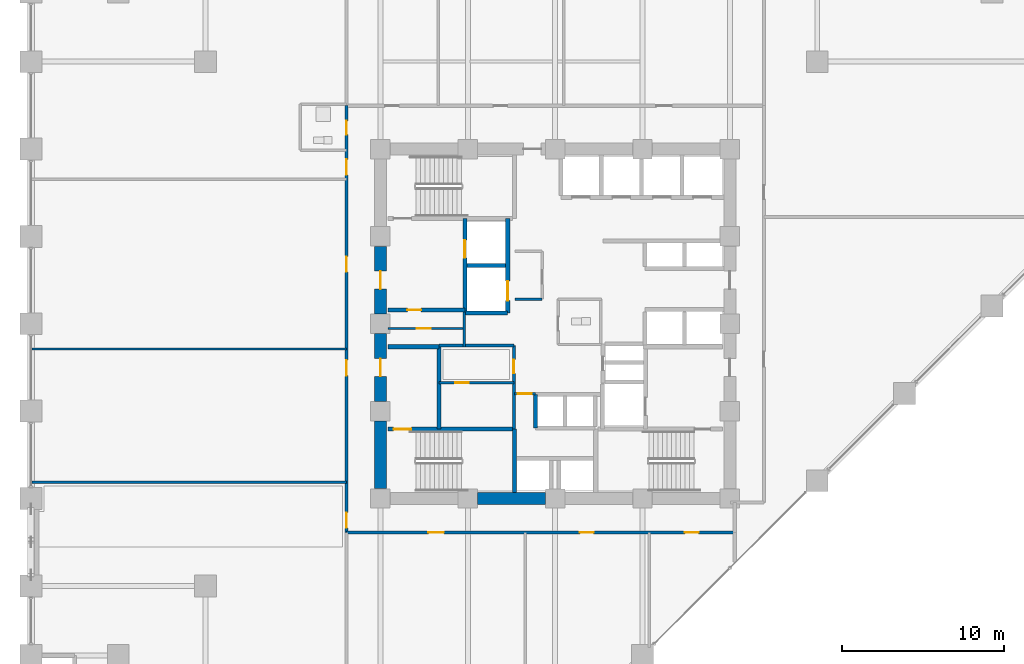
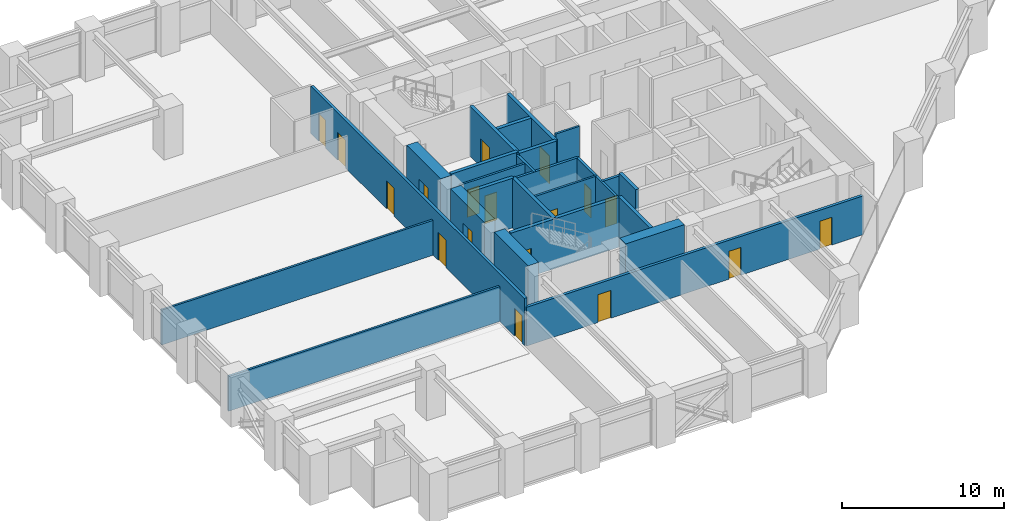
# One storey, part 20 of 25: 25 walls, 18 doors, 18 openings.
"""IFC4 building model written with IfcOpenShell, lengths in metres."""

from ifc_helpers import new_model, si_unit, direction, frame, frame_2d, origin, place, context, subcontext, project, spatial, rectangle, extrude, material, layer, layer_set, type_object, element, fill, save


model = new_model("IFC4")

# Units and contexts
model_context = context("Model", 3, precision=1e-05, world=origin(), true_north=direction((0.0, 1.0)))
body_context = subcontext(model_context, "Body", "Model", "MODEL_VIEW")
ifc_project = project(units=[si_unit("LENGTHUNIT", "METRE"), si_unit("AREAUNIT", "SQUARE_METRE"), si_unit("VOLUMEUNIT", "CUBIC_METRE"), si_unit("PLANEANGLEUNIT", "RADIAN"), si_unit("MASSUNIT", "GRAM", prefix="KILO")], contexts=[model_context])

# Site, building, storey
site_placement = place(None, origin())
site = spatial("IfcSite", under=ifc_project, at=site_placement, CompositionType="ELEMENT")
building_placement = place(site_placement, origin())
building = spatial("IfcBuilding", under=site, at=building_placement, Name="Surkhivell Harbour Commons", CompositionType="ELEMENT")
storey_placement = place(building_placement, frame((0.0, 0.0, 52.5)))
storey = spatial("IfcBuildingStorey", under=building, at=storey_placement, Name="L13", CompositionType="ELEMENT", Elevation=52.5)

# Walls
ifc_material_1 = material(Name="Concrete C60/75", Category="concrete")
ifc_layer_1 = layer(ifc_material_1, 0.75)
ifc_layer_set_1 = layer_set([ifc_layer_1], Name="Concrete C60/75")
wall_type_1 = type_object("IfcWallType", Name="WAL-CORE-750", PredefinedType="SHEAR", material=ifc_layer_set_1)
for number, where, z_axis, x_axis, name in (
    (1, (-10.800048828125, -10.18994140625, 0.0), (0.0, 0.0, 1.0), (0.0, 1.0, 0.0), "L13 Core Shear Wall West 1"),
    (2, (-4.7900390625, -10.800048828125, 0.0), (0.0, 0.0, 1.0), (1.0, 0.0, 0.0), "L13 Core Shear Wall South 2"),
):
    element("IfcWall", number, at=place(storey_placement, frame(where, z_axis=z_axis, x_axis=x_axis)), inside=storey, type_object=wall_type_1, Name=name, PredefinedType="SHEAR", context=body_context, shape_type="SweptSolid", body=[
        extrude(rectangle(XDim=4.179931640625, YDim=0.75, at=frame_2d((2.08984375, 0.0))), origin(), (0.0, 0.0, 1.0), 3.75),
    ])

# Wall, opening, door
wall_1_placement = place(storey_placement, frame((-10.800048828125, -4.7900390625, 0.0), z_axis=(0.0, 0.0, 1.0), x_axis=(0.0, 1.0, 0.0)))
wall_1 = element("IfcWall", 3, at=wall_1_placement, inside=storey, type_object=wall_type_1, Name="L13 Core Shear Wall West 2", PredefinedType="SHEAR", context=body_context, shape_type="SweptSolid", body=[
    extrude(rectangle(XDim=4.179931640625, YDim=0.75, at=frame_2d((2.08984375, 0.0))), origin(), (0.0, 0.0, 1.0), 3.75),
])
opening_1_placement = place(wall_1_placement, frame((1.5400390625, 0.0, 0.0)))
opening_1 = element("IfcOpeningElement", 4, at=opening_1_placement, cuts=wall_1, Name="Opening ID-2", PredefinedType="OPENING", context=body_context, shape_type="SweptSolid", body=[
    extrude(rectangle(XDim=1.10009765625, YDim=2.10009765625, at=frame_2d((0.550048828125, 1.050048828125))), frame((0.0, 0.385009765625, 0.0), z_axis=(0.0, -1.0, 0.0), x_axis=(1.0, 0.0, 0.0)), (0.0, 0.0, 1.0), 0.77001953125),
])
ifc_material_2 = material(Name="Hardwood-veneered fire-rated door leaf", Category="wood")
door_type_1 = type_object("IfcDoorType", Name="DOR-FD60-1100", OperationType="NOTDEFINED", PredefinedType="DOOR", material=ifc_material_2)
door_1_placement = place(opening_1_placement, origin())
door_1 = element("IfcDoor", 5, at=door_1_placement, inside=storey, type_object=door_type_1, Name="L13 Stair 3 Lobby Corridor Door", OperationType="SINGLE_SWING_LEFT", OverallHeight=2.10009765625, OverallWidth=1.10009765625, PredefinedType="DOOR", context=body_context, shape_type="SweptSolid", body=[
    extrude(rectangle(XDim=1.10009765625, YDim=2.10009765625, at=frame_2d((0.550048828125, 1.050048828125))), frame((0.0, 0.02490234375, 0.0), z_axis=(0.0, -1.0, 0.0), x_axis=(1.0, 0.0, 0.0)), (0.0, 0.0, 1.0), 0.050048828125),
])
fill(opening_1, door_1)

wall_2_placement = place(storey_placement, frame((-10.800048828125, 0.610107421875, 0.0), z_axis=(0.0, 0.0, 1.0), x_axis=(0.0, 1.0, 0.0)))
wall_2 = element("IfcWall", 6, at=wall_2_placement, inside=storey, type_object=wall_type_1, Name="L13 Core Shear Wall West 3", PredefinedType="SHEAR", context=body_context, shape_type="SweptSolid", body=[
    extrude(rectangle(XDim=4.179931640625, YDim=0.75, at=frame_2d((2.08984375, 0.0))), origin(), (0.0, 0.0, 1.0), 3.75),
])
opening_2_placement = place(wall_2_placement, frame((1.5400390625, 0.0, 0.0)))
opening_2 = element("IfcOpeningElement", 7, at=opening_2_placement, cuts=wall_2, Name="Opening ID-1", PredefinedType="OPENING", context=body_context, shape_type="SweptSolid", body=[
    extrude(rectangle(XDim=1.10009765625, YDim=2.10009765625, at=frame_2d((0.550048828125, 1.050048828125))), frame((0.0, 0.385009765625, 0.0), z_axis=(0.0, -1.0, 0.0), x_axis=(1.0, 0.0, 0.0)), (0.0, 0.0, 1.0), 0.77001953125),
])
door_type_2 = type_object("IfcDoorType", Name="DOR-FD120-1100", OperationType="NOTDEFINED", PredefinedType="DOOR", material=ifc_material_2)
door_2_placement = place(opening_2_placement, origin())
door_2 = element("IfcDoor", 8, at=door_2_placement, inside=storey, type_object=door_type_2, Name="L13 Firefighting Lobby 1 Corridor Door", OperationType="SINGLE_SWING_LEFT", OverallHeight=2.10009765625, OverallWidth=1.10009765625, PredefinedType="DOOR", context=body_context, shape_type="SweptSolid", body=[
    extrude(rectangle(XDim=1.10009765625, YDim=2.10009765625, at=frame_2d((0.550048828125, 1.050048828125))), frame((0.0, 0.02490234375, 0.0), z_axis=(0.0, -1.0, 0.0), x_axis=(1.0, 0.0, 0.0)), (0.0, 0.0, 1.0), 0.050048828125),
])
fill(opening_2, door_2)

ifc_material_3 = material(Name="Twin-stud acoustic fireboard partition", Category="other")
ifc_layer_2 = layer(ifc_material_3, 0.14990234375)
ifc_layer_set_2 = layer_set([ifc_layer_2], Name="Twin-stud acoustic fireboard partition")
wall_type_2 = type_object("IfcWallType", Name="WAL-INT-150", PredefinedType="PARTITIONING", material=ifc_layer_set_2)
wall_3_placement = place(storey_placement, frame((-7.179931640625, -3.64990234375, 0.0), z_axis=(0.0, 0.0, 1.0), x_axis=(1.0, 0.0, 0.0)))
wall_3 = element("IfcWall", 9, at=wall_3_placement, inside=storey, type_object=wall_type_2, Name="L13 Core Cut C1 Partition", PredefinedType="PARTITIONING", context=body_context, shape_type="SweptSolid", body=[
    extrude(rectangle(XDim=4.6298828125, YDim=0.14990234375, at=frame_2d((2.31494140625, 0.0))), origin(), (0.0, 0.0, 1.0), 3.570068359375),
])
opening_3_placement = place(wall_3_placement, frame((1.0, 0.0, 0.0)))
opening_3 = element("IfcOpeningElement", 10, at=opening_3_placement, cuts=wall_3, Name="Opening ID-6", PredefinedType="OPENING", context=body_context, shape_type="SweptSolid", body=[
    extrude(rectangle(XDim=0.85009765625, YDim=2.10009765625, at=frame_2d((0.425048828125, 1.050048828125))), frame((0.0, 0.0849609375, 0.0), z_axis=(0.0, -1.0, 0.0), x_axis=(1.0, 0.0, 0.0)), (0.0, 0.0, 1.0), 0.169921875),
])
door_type_3 = type_object("IfcDoorType", Name="DOR-FD30-850", OperationType="NOTDEFINED", PredefinedType="DOOR", material=ifc_material_2)
door_3_placement = place(opening_3_placement, origin())
door_3 = element("IfcDoor", 11, at=door_3_placement, inside=storey, type_object=door_type_3, Name="L13 Cleaner Room Door", OperationType="SINGLE_SWING_LEFT", OverallHeight=2.10009765625, OverallWidth=0.85009765625, PredefinedType="DOOR", context=body_context, shape_type="SweptSolid", body=[
    extrude(rectangle(XDim=0.85009765625, YDim=2.10009765625, at=frame_2d((0.425048828125, 1.050048828125))), frame((0.0, 0.02490234375, 0.0), z_axis=(0.0, -1.0, 0.0), x_axis=(1.0, 0.0, 0.0)), (0.0, 0.0, 1.0), 0.050048828125),
])
fill(opening_3, door_3)

wall_4_placement = place(storey_placement, frame((-10.340087890625, -0.2900390625, 0.0), z_axis=(0.0, 0.0, 1.0), x_axis=(1.0, 0.0, 0.0)))
wall_4 = element("IfcWall", 12, at=wall_4_placement, inside=storey, type_object=wall_type_2, Name="L13 West Core Horizontal Cut", PredefinedType="PARTITIONING", context=body_context, shape_type="SweptSolid", body=[
    extrude(rectangle(XDim=4.719970703125, YDim=0.14990234375, at=frame_2d((2.35986328125, 0.0))), origin(), (0.0, 0.0, 1.0), 3.570068359375),
])
opening_4_placement = place(wall_4_placement, frame((1.800048828125, 0.0, 0.0)))
opening_4 = element("IfcOpeningElement", 13, at=opening_4_placement, cuts=wall_4, Name="Opening ID-6", PredefinedType="OPENING", context=body_context, shape_type="SweptSolid", body=[
    extrude(rectangle(XDim=0.85009765625, YDim=2.10009765625, at=frame_2d((0.425048828125, 1.050048828125))), frame((0.0, 0.0849609375, 0.0), z_axis=(0.0, -1.0, 0.0), x_axis=(1.0, 0.0, 0.0)), (0.0, 0.0, 1.0), 0.169921875),
])
door_4_placement = place(opening_4_placement, origin())
door_4 = element("IfcDoor", 14, at=door_4_placement, inside=storey, type_object=door_type_3, Name="L13 West Music Pod Door", OperationType="SINGLE_SWING_RIGHT", OverallHeight=2.10009765625, OverallWidth=0.85009765625, PredefinedType="DOOR", context=body_context, shape_type="SweptSolid", body=[
    extrude(rectangle(XDim=0.85009765625, YDim=2.10009765625, at=frame_2d((0.425048828125, 1.050048828125))), frame((0.0, 0.02490234375, 0.0), z_axis=(0.0, -1.0, 0.0), x_axis=(1.0, 0.0, 0.0)), (0.0, 0.0, 1.0), 0.050048828125),
])
fill(opening_4, door_4)

# Walls
wall_5_placement = place(storey_placement, frame((-2.47998046875, 1.52001953125, 0.0), z_axis=(0.0, 0.0, 1.0), x_axis=(1.0, 0.0, 0.0)))
element("IfcWall", 15, at=wall_5_placement, inside=storey, type_object=wall_type_2, Name="L13 Core Seminar South Wall", PredefinedType="PARTITIONING", context=body_context, shape_type="SweptSolid", body=[
    extrude(rectangle(XDim=1.679931640625, YDim=0.14990234375, at=frame_2d((0.83984375, 0.0))), origin(), (0.0, 0.0, 1.0), 3.570068359375),
])
for number, where, z_axis, x_axis, name in (
    (16, (-32.340087890625, -1.56005859375, 0.0), (0.0, 0.0, 1.0), (1.0, 0.0, 0.0), "L13 West Partition BDP1"),
    (17, (-32.340087890625, -9.800048828125, 0.0), (0.0, 0.0, 1.0), (1.0, 0.0, 0.0), "L13 West Partition PBOT"),
):
    element("IfcWall", number, at=place(storey_placement, frame(where, z_axis=z_axis, x_axis=x_axis)), inside=storey, type_object=wall_type_2, Name=name, PredefinedType="PARTITIONING", context=body_context, shape_type="SweptSolid", body=[
        extrude(rectangle(XDim=19.440185546875, YDim=0.14990234375, at=frame_2d((9.72021484375, 0.0))), origin(), (0.0, 0.0, 1.0), 2.62890625),
    ])

# Wall, opening, door
ifc_material_4 = material(Name="High-density acoustic blockwork fire partition", Category="masonry")
ifc_layer_3 = layer(ifc_material_4, 0.175048828125)
ifc_layer_set_3 = layer_set([ifc_layer_3], Name="High-density acoustic blockwork fire partition")
wall_type_3 = type_object("IfcWallType", Name="WAL-INT-175", PredefinedType="PARTITIONING", material=ifc_layer_set_3)
wall_6_placement = place(storey_placement, frame((-2.550048828125, -6.510009765625, 0.0), z_axis=(0.0, 0.0, 1.0), x_axis=(0.0, 1.0, 0.0)))
wall_6 = element("IfcWall", 18, at=wall_6_placement, inside=storey, type_object=wall_type_3, Name="L13 Core Service Bay East Wall", PredefinedType="PARTITIONING", context=body_context, shape_type="SweptSolid", body=[
    extrude(rectangle(XDim=5.159912109375, YDim=0.175048828125, at=frame_2d((2.580078125, 0.0))), origin(), (0.0, 0.0, 1.0), 3.570068359375),
])
opening_5_placement = place(wall_6_placement, frame((3.449951171875, 0.0, 0.0)))
opening_5 = element("IfcOpeningElement", 19, at=opening_5_placement, cuts=wall_6, Name="Opening ID-6", PredefinedType="OPENING", context=body_context, shape_type="SweptSolid", body=[
    extrude(rectangle(XDim=0.85009765625, YDim=2.10009765625, at=frame_2d((0.425048828125, 1.050048828125))), frame((0.0, 0.097412109375, 0.0), z_axis=(0.0, -1.0, 0.0), x_axis=(1.0, 0.0, 0.0)), (0.0, 0.0, 1.0), 0.195068359375),
])
door_5_placement = place(opening_5_placement, origin())
door_5 = element("IfcDoor", 20, at=door_5_placement, inside=storey, type_object=door_type_3, Name="L13 Core Seminar Door", OperationType="SINGLE_SWING_LEFT", OverallHeight=2.10009765625, OverallWidth=0.85009765625, PredefinedType="DOOR", context=body_context, shape_type="SweptSolid", body=[
    extrude(rectangle(XDim=0.85009765625, YDim=2.10009765625, at=frame_2d((0.425048828125, 1.050048828125))), frame((0.0, 0.02490234375, 0.0), z_axis=(0.0, -1.0, 0.0), x_axis=(1.0, 0.0, 0.0)), (0.0, 0.0, 1.0), 0.050048828125),
])
fill(opening_5, door_5)

# Walls
wall_7_placement = place(storey_placement, frame((-7.179931640625, -1.35009765625, 0.0), z_axis=(0.0, 0.0, 1.0), x_axis=(1.0, 0.0, 0.0)))
element("IfcWall", 21, at=wall_7_placement, inside=storey, type_object=wall_type_3, Name="L13 Core Service Bay North Wall", PredefinedType="PARTITIONING", context=body_context, shape_type="SweptSolid", body=[
    extrude(rectangle(XDim=4.6298828125, YDim=0.175048828125, at=frame_2d((2.31494140625, 0.0))), origin(), (0.0, 0.0, 1.0), 3.570068359375),
])
wall_8_placement = place(storey_placement, frame((-5.6201171875, -1.419921875, 0.0), z_axis=(0.0, 0.0, 1.0), x_axis=(0.0, 1.0, 0.0)))
element("IfcWall", 22, at=wall_8_placement, inside=storey, type_object=wall_type_3, Name="L13 West Core Bay East Wall", PredefinedType="PARTITIONING", context=body_context, shape_type="SweptSolid", body=[
    extrude(rectangle(XDim=2.139892578125, YDim=0.175048828125, at=frame_2d((1.06982421875, 0.0))), origin(), (0.0, 0.0, 1.0), 3.570068359375),
])

# Wall, opening, door
wall_9_placement = place(storey_placement, frame((-2.52001953125, -4.320068359375, 0.0), z_axis=(0.0, 0.0, 1.0), x_axis=(1.0, 0.0, 0.0)))
wall_9 = element("IfcWall", 23, at=wall_9_placement, inside=storey, type_object=wall_type_3, Name="L13 High-Rise Lobby North Portal Wall", PredefinedType="PARTITIONING", context=body_context, shape_type="SweptSolid", body=[
    extrude(rectangle(XDim=1.300048828125, YDim=0.175048828125, at=frame_2d((0.64990234375, 0.0))), origin(), (0.0, 0.0, 1.0), 3.570068359375),
])
opening_6_placement = place(wall_9_placement, frame((0.219970703125, 0.0, 0.0)))
opening_6 = element("IfcOpeningElement", 24, at=opening_6_placement, cuts=wall_9, Name="Opening ID-6", PredefinedType="OPENING", context=body_context, shape_type="SweptSolid", body=[
    extrude(rectangle(XDim=0.85009765625, YDim=2.10009765625, at=frame_2d((0.425048828125, 1.050048828125))), frame((0.0, 0.097412109375, 0.0), z_axis=(0.0, -1.0, 0.0), x_axis=(1.0, 0.0, 0.0)), (0.0, 0.0, 1.0), 0.195068359375),
])
door_6_placement = place(opening_6_placement, origin())
door_6 = element("IfcDoor", 25, at=door_6_placement, inside=storey, type_object=door_type_3, Name="L13 High-Rise Lift Lobby North Door", OperationType="SINGLE_SWING_LEFT", OverallHeight=2.10009765625, OverallWidth=0.85009765625, PredefinedType="DOOR", context=body_context, shape_type="SweptSolid", body=[
    extrude(rectangle(XDim=0.85009765625, YDim=2.10009765625, at=frame_2d((0.425048828125, 1.050048828125))), frame((0.0, 0.02490234375, 0.0), z_axis=(0.0, -1.0, 0.0), x_axis=(1.0, 0.0, 0.0)), (0.0, 0.0, 1.0), 0.050048828125),
])
fill(opening_6, door_6)

# Wall, openings, doors
ifc_material_5 = material(Name="Autoclaved aerated concrete blockwork and fire plaster", Category="masonry")
ifc_layer_4 = layer(ifc_material_5, 0.199951171875)
ifc_layer_set_4 = layer_set([ifc_layer_4], Name="Autoclaved aerated concrete blockwork and fire plaster")
wall_type_4 = type_object("IfcWallType", Name="WAL-INT-200", PredefinedType="PARTITIONING", material=ifc_layer_set_4)
wall_10_placement = place(storey_placement, frame((-12.89990234375, -12.89990234375, 0.0), z_axis=(0.0, 0.0, 1.0), x_axis=(1.0, 0.0, 0.0)))
wall_10 = element("IfcWall", 26, at=wall_10_placement, inside=storey, type_object=wall_type_4, Name="L13 Corridor South Wall", PredefinedType="PARTITIONING", context=body_context, shape_type="SweptSolid", body=[
    extrude(rectangle(XDim=24.0, YDim=0.199951171875, at=frame_2d((12.0, 0.0))), origin(), (0.0, 0.0, 1.0), 2.929931640625),
])
opening_7_placement = place(wall_10_placement, frame((5.070068359375, 0.0, 0.0)))
opening_7 = element("IfcOpeningElement", 27, at=opening_7_placement, cuts=wall_10, Name="Opening ID-4", PredefinedType="OPENING", context=body_context, shape_type="SweptSolid", body=[
    extrude(rectangle(XDim=0.949951171875, YDim=2.10009765625, at=frame_2d((0.47509765625, 1.050048828125))), frame((0.0, 0.10986328125, 0.0), z_axis=(0.0, -1.0, 0.0), x_axis=(1.0, 0.0, 0.0)), (0.0, 0.0, 1.0), 0.219970703125),
])
opening_8_placement = place(wall_10_placement, frame((14.429931640625, 0.0, 0.0)))
opening_8 = element("IfcOpeningElement", 28, at=opening_8_placement, cuts=wall_10, Name="Opening ID-6", PredefinedType="OPENING", context=body_context, shape_type="SweptSolid", body=[
    extrude(rectangle(XDim=0.85009765625, YDim=2.10009765625, at=frame_2d((0.425048828125, 1.050048828125))), frame((0.0, 0.10986328125, 0.0), z_axis=(0.0, -1.0, 0.0), x_axis=(1.0, 0.0, 0.0)), (0.0, 0.0, 1.0), 0.219970703125),
])
opening_9_placement = place(wall_10_placement, frame((20.909912109375, 0.0, 0.0)))
opening_9 = element("IfcOpeningElement", 29, at=opening_9_placement, cuts=wall_10, Name="Opening ID-6", PredefinedType="OPENING", context=body_context, shape_type="SweptSolid", body=[
    extrude(rectangle(XDim=0.85009765625, YDim=2.10009765625, at=frame_2d((0.425048828125, 1.050048828125))), frame((0.0, 0.10986328125, 0.0), z_axis=(0.0, -1.0, 0.0), x_axis=(1.0, 0.0, 0.0)), (0.0, 0.0, 1.0), 0.219970703125),
])
door_7_placement = place(opening_8_placement, origin())
door_7 = element("IfcDoor", 30, at=door_7_placement, inside=storey, type_object=door_type_3, Name="L13 Resident Social Lounge 2 South Door", OperationType="SINGLE_SWING_LEFT", OverallHeight=2.10009765625, OverallWidth=0.85009765625, PredefinedType="DOOR", context=body_context, shape_type="SweptSolid", body=[
    extrude(rectangle(XDim=0.85009765625, YDim=2.10009765625, at=frame_2d((0.425048828125, 1.050048828125))), frame((0.0, 0.02490234375, 0.0), z_axis=(0.0, -1.0, 0.0), x_axis=(1.0, 0.0, 0.0)), (0.0, 0.0, 1.0), 0.050048828125),
])
fill(opening_8, door_7)
door_8_placement = place(opening_9_placement, origin())
door_8 = element("IfcDoor", 31, at=door_8_placement, inside=storey, type_object=door_type_3, Name="L13 Resident Social Lounge 3 South Door", OperationType="SINGLE_SWING_RIGHT", OverallHeight=2.10009765625, OverallWidth=0.85009765625, PredefinedType="DOOR", context=body_context, shape_type="SweptSolid", body=[
    extrude(rectangle(XDim=0.85009765625, YDim=2.10009765625, at=frame_2d((0.425048828125, 1.050048828125))), frame((0.0, 0.02490234375, 0.0), z_axis=(0.0, -1.0, 0.0), x_axis=(1.0, 0.0, 0.0)), (0.0, 0.0, 1.0), 0.050048828125),
])
fill(opening_9, door_8)
door_type_4 = type_object("IfcDoorType", Name="DOR-FD60-950", OperationType="NOTDEFINED", PredefinedType="DOOR", material=ifc_material_2)
door_9_placement = place(opening_7_placement, origin())
door_9 = element("IfcDoor", 32, at=door_9_placement, inside=storey, type_object=door_type_4, Name="L13 Harbour Social Lounge South Door", OperationType="SINGLE_SWING_RIGHT", OverallHeight=2.10009765625, OverallWidth=0.949951171875, PredefinedType="DOOR", context=body_context, shape_type="SweptSolid", body=[
    extrude(rectangle(XDim=0.949951171875, YDim=2.10009765625, at=frame_2d((0.47509765625, 1.050048828125))), frame((0.0, 0.02490234375, 0.0), z_axis=(0.0, -1.0, 0.0), x_axis=(1.0, 0.0, 0.0)), (0.0, 0.0, 1.0), 0.050048828125),
])
fill(opening_7, door_9)

wall_11_placement = place(storey_placement, frame((-12.89990234375, -12.89990234375, 0.0), z_axis=(0.0, 0.0, 1.0), x_axis=(0.0, 1.0, 0.0)))
wall_11 = element("IfcWall", 33, at=wall_11_placement, inside=storey, type_object=wall_type_4, Name="L13 Corridor West Wall", PredefinedType="PARTITIONING", context=body_context, shape_type="SweptSolid", body=[
    extrude(rectangle(XDim=26.3798828125, YDim=0.199951171875, at=frame_2d((13.18994140625, 0.0))), origin(), (0.0, 0.0, 1.0), 3.570068359375),
])
opening_10_placement = place(wall_11_placement, frame((0.280029296875, 0.0, 0.0)))
opening_10 = element("IfcOpeningElement", 34, at=opening_10_placement, cuts=wall_11, Name="Opening ID-4", PredefinedType="OPENING", context=body_context, shape_type="SweptSolid", body=[
    extrude(rectangle(XDim=0.949951171875, YDim=2.10009765625, at=frame_2d((0.47509765625, 1.050048828125))), frame((0.0, 0.10986328125, 0.0), z_axis=(0.0, -1.0, 0.0), x_axis=(1.0, 0.0, 0.0)), (0.0, 0.0, 1.0), 0.219970703125),
])
opening_11_placement = place(wall_11_placement, frame((24.5849609375, 0.0, 0.0)))
opening_11 = element("IfcOpeningElement", 35, at=opening_11_placement, cuts=wall_11, Name="Opening ID-6", PredefinedType="OPENING", context=body_context, shape_type="SweptSolid", body=[
    extrude(rectangle(XDim=0.85009765625, YDim=2.10009765625, at=frame_2d((0.425048828125, 1.050048828125))), frame((0.0, 0.10986328125, 0.0), z_axis=(0.0, -1.0, 0.0), x_axis=(1.0, 0.0, 0.0)), (0.0, 0.0, 1.0), 0.219970703125),
])
opening_12_placement = place(wall_11_placement, frame((22.110107421875, 0.0, 0.0)))
opening_12 = element("IfcOpeningElement", 36, at=opening_12_placement, cuts=wall_11, Name="Opening ID-4", PredefinedType="OPENING", context=body_context, shape_type="SweptSolid", body=[
    extrude(rectangle(XDim=0.949951171875, YDim=2.10009765625, at=frame_2d((0.47509765625, 1.050048828125))), frame((0.0, 0.10986328125, 0.0), z_axis=(0.0, -1.0, 0.0), x_axis=(1.0, 0.0, 0.0)), (0.0, 0.0, 1.0), 0.219970703125),
])
opening_13_placement = place(wall_11_placement, frame((9.7021484375, 0.0, 0.0)))
opening_13 = element("IfcOpeningElement", 37, at=opening_13_placement, cuts=wall_11, Name="Opening ID-4", PredefinedType="OPENING", context=body_context, shape_type="SweptSolid", body=[
    extrude(rectangle(XDim=0.949951171875, YDim=2.10009765625, at=frame_2d((0.47509765625, 1.050048828125))), frame((0.0, 0.10986328125, 0.0), z_axis=(0.0, -1.0, 0.0), x_axis=(1.0, 0.0, 0.0)), (0.0, 0.0, 1.0), 0.219970703125),
])
opening_14_placement = place(wall_11_placement, frame((16.10498046875, 0.0, 0.0)))
opening_14 = element("IfcOpeningElement", 38, at=opening_14_placement, cuts=wall_11, Name="Opening ID-4", PredefinedType="OPENING", context=body_context, shape_type="SweptSolid", body=[
    extrude(rectangle(XDim=0.949951171875, YDim=2.10009765625, at=frame_2d((0.47509765625, 1.050048828125))), frame((0.0, 0.10986328125, 0.0), z_axis=(0.0, -1.0, 0.0), x_axis=(1.0, 0.0, 0.0)), (0.0, 0.0, 1.0), 0.219970703125),
])
door_10_placement = place(opening_11_placement, origin())
door_10 = element("IfcDoor", 39, at=door_10_placement, inside=storey, type_object=door_type_3, Name="L13 Communal Shower Bathroom West Door", OperationType="SINGLE_SWING_LEFT", OverallHeight=2.10009765625, OverallWidth=0.85009765625, PredefinedType="DOOR", context=body_context, shape_type="SweptSolid", body=[
    extrude(rectangle(XDim=0.85009765625, YDim=2.10009765625, at=frame_2d((0.425048828125, 1.050048828125))), frame((0.0, 0.02490234375, 0.0), z_axis=(0.0, -1.0, 0.0), x_axis=(1.0, 0.0, 0.0)), (0.0, 0.0, 1.0), 0.050048828125),
])
fill(opening_11, door_10)
door_11_placement = place(opening_10_placement, origin())
door_11 = element("IfcDoor", 40, at=door_11_placement, inside=storey, type_object=door_type_4, Name="L13 Shared Communal Kitchen West Door", OperationType="SINGLE_SWING_RIGHT", OverallHeight=2.10009765625, OverallWidth=0.949951171875, PredefinedType="DOOR", context=body_context, shape_type="SweptSolid", body=[
    extrude(rectangle(XDim=0.949951171875, YDim=2.10009765625, at=frame_2d((0.47509765625, 1.050048828125))), frame((0.0, 0.02490234375, 0.0), z_axis=(0.0, -1.0, 0.0), x_axis=(1.0, 0.0, 0.0)), (0.0, 0.0, 1.0), 0.050048828125),
])
fill(opening_10, door_11)
door_12_placement = place(opening_12_placement, origin())
door_12 = element("IfcDoor", 41, at=door_12_placement, inside=storey, type_object=door_type_4, Name="L13 Academic Reading Commons West Door", OperationType="SINGLE_SWING_RIGHT", OverallHeight=2.10009765625, OverallWidth=0.949951171875, PredefinedType="DOOR", context=body_context, shape_type="SweptSolid", body=[
    extrude(rectangle(XDim=0.949951171875, YDim=2.10009765625, at=frame_2d((0.47509765625, 1.050048828125))), frame((0.0, 0.02490234375, 0.0), z_axis=(0.0, -1.0, 0.0), x_axis=(1.0, 0.0, 0.0)), (0.0, 0.0, 1.0), 0.050048828125),
])
fill(opening_12, door_12)
door_13_placement = place(opening_13_placement, origin())
door_13 = element("IfcDoor", 42, at=door_13_placement, inside=storey, type_object=door_type_4, Name="L13 Hostel Cluster Bedroom 1 West Door", OperationType="SINGLE_SWING_LEFT", OverallHeight=2.10009765625, OverallWidth=0.949951171875, PredefinedType="DOOR", context=body_context, shape_type="SweptSolid", body=[
    extrude(rectangle(XDim=0.949951171875, YDim=2.10009765625, at=frame_2d((0.47509765625, 1.050048828125))), frame((0.0, 0.02490234375, 0.0), z_axis=(0.0, -1.0, 0.0), x_axis=(1.0, 0.0, 0.0)), (0.0, 0.0, 1.0), 0.050048828125),
])
fill(opening_13, door_13)
door_14_placement = place(opening_14_placement, origin())
door_14 = element("IfcDoor", 43, at=door_14_placement, inside=storey, type_object=door_type_4, Name="L13 Co-Living Dormitory Bedroom 2 West Door", OperationType="SINGLE_SWING_RIGHT", OverallHeight=2.10009765625, OverallWidth=0.949951171875, PredefinedType="DOOR", context=body_context, shape_type="SweptSolid", body=[
    extrude(rectangle(XDim=0.949951171875, YDim=2.10009765625, at=frame_2d((0.47509765625, 1.050048828125))), frame((0.0, 0.02490234375, 0.0), z_axis=(0.0, -1.0, 0.0), x_axis=(1.0, 0.0, 0.0)), (0.0, 0.0, 1.0), 0.050048828125),
])
fill(opening_14, door_14)

# Wall, opening, door
ifc_material_6 = material(Name="Concrete C50/60", Category="concrete")
ifc_layer_5 = layer(ifc_material_6, 0.25)
ifc_layer_set_5 = layer_set([ifc_layer_5], Name="Concrete C50/60")
wall_type_5 = type_object("IfcWallType", Name="WAL-SHAFT-250", PredefinedType="SHEAR", material=ifc_layer_set_5)
wall_12_placement = place(storey_placement, frame((-5.580078125, 0.719970703125, 0.0), z_axis=(0.0, 0.0, 1.0), x_axis=(0.0, 1.0, 0.0)))
wall_12 = element("IfcWall", 44, at=wall_12_placement, inside=storey, type_object=wall_type_5, Name="L13 Firefighting Lobby 1 East Shaft Wall", PredefinedType="SHEAR", context=body_context, shape_type="SweptSolid", body=[
    extrude(rectangle(XDim=5.7900390625, YDim=0.25, at=frame_2d((2.89501953125, 0.0))), origin(), (0.0, 0.0, 1.0), 3.75),
])
opening_15_placement = place(wall_12_placement, frame((3.35009765625, 0.0, 0.0)))
opening_15 = element("IfcOpeningElement", 45, at=opening_15_placement, cuts=wall_12, Name="Opening LD-1", PredefinedType="OPENING", context=body_context, shape_type="SweptSolid", body=[
    extrude(rectangle(XDim=1.10009765625, YDim=2.10009765625, at=frame_2d((0.550048828125, 1.050048828125))), frame((0.0, 0.135009765625, 0.0), z_axis=(0.0, -1.0, 0.0), x_axis=(1.0, 0.0, 0.0)), (0.0, 0.0, 1.0), 0.27001953125),
])
ifc_material_7 = material(Name="Brushed stainless steel S355", Category="steel")
door_type_5 = type_object("IfcDoorType", Name="DOR-LD-1100", OperationType="SLIDING_TO_LEFT", PredefinedType="DOOR", material=ifc_material_7)
door_15_placement = place(opening_15_placement, origin())
door_15 = element("IfcDoor", 46, at=door_15_placement, inside=storey, type_object=door_type_5, Name="L13 Lift Landing Door LD-FFL1", OperationType="SLIDING_TO_LEFT", OverallHeight=2.10009765625, OverallWidth=1.10009765625, PredefinedType="DOOR", context=body_context, shape_type="SweptSolid", body=[
    extrude(rectangle(XDim=1.10009765625, YDim=2.10009765625, at=frame_2d((0.550048828125, 1.050048828125))), frame((0.0, 0.02490234375, 0.0), z_axis=(0.0, -1.0, 0.0), x_axis=(1.0, 0.0, 0.0)), (0.0, 0.0, 1.0), 0.050048828125),
])
fill(opening_15, door_15)

wall_13_placement = place(storey_placement, frame((-10.340087890625, 0.85009765625, 0.0), z_axis=(0.0, 0.0, 1.0), x_axis=(1.0, 0.0, 0.0)))
wall_13 = element("IfcWall", 47, at=wall_13_placement, inside=storey, type_object=wall_type_5, Name="L13 Firefighting Lobby 1 South Wall", PredefinedType="SHEAR", context=body_context, shape_type="SweptSolid", body=[
    extrude(rectangle(XDim=4.760009765625, YDim=0.25, at=frame_2d((2.3798828125, 0.0))), origin(), (0.0, 0.0, 1.0), 3.75),
])
opening_16_placement = place(wall_13_placement, frame((1.199951171875, 0.0, 0.0)))
opening_16 = element("IfcOpeningElement", 48, at=opening_16_placement, cuts=wall_13, Name="Opening ID-6", PredefinedType="OPENING", context=body_context, shape_type="SweptSolid", body=[
    extrude(rectangle(XDim=0.85009765625, YDim=2.10009765625, at=frame_2d((0.425048828125, 1.050048828125))), frame((0.0, 0.135009765625, 0.0), z_axis=(0.0, -1.0, 0.0), x_axis=(1.0, 0.0, 0.0)), (0.0, 0.0, 1.0), 0.27001953125),
])
door_16_placement = place(opening_16_placement, origin())
door_16 = element("IfcDoor", 49, at=door_16_placement, inside=storey, type_object=door_type_3, Name="L13 West Reading Alcove Door", OperationType="SINGLE_SWING_LEFT", OverallHeight=2.10009765625, OverallWidth=0.85009765625, PredefinedType="DOOR", context=body_context, shape_type="SweptSolid", body=[
    extrude(rectangle(XDim=0.85009765625, YDim=2.10009765625, at=frame_2d((0.425048828125, 1.050048828125))), frame((0.0, 0.02490234375, 0.0), z_axis=(0.0, -1.0, 0.0), x_axis=(1.0, 0.0, 0.0)), (0.0, 0.0, 1.0), 0.050048828125),
])
fill(opening_16, door_16)

# Walls
wall_14_placement = place(storey_placement, frame((-1.219970703125, -6.43994140625, 0.0), z_axis=(0.0, 0.0, 1.0), x_axis=(0.0, 1.0, 0.0)))
element("IfcWall", 50, at=wall_14_placement, inside=storey, type_object=wall_type_5, Name="L13 High-Rise Passage East Shaft Wall", PredefinedType="SHEAR", context=body_context, shape_type="SweptSolid", body=[
    extrude(rectangle(XDim=2.079833984375, YDim=0.25, at=frame_2d((1.0400390625, 0.0))), origin(), (0.0, 0.0, 1.0), 3.75),
])
wall_15_placement = place(storey_placement, frame((-2.510009765625, -10.425048828125, 0.0), z_axis=(0.0, 0.0, 1.0), x_axis=(0.0, 1.0, 0.0)))
element("IfcWall", 51, at=wall_15_placement, inside=storey, type_object=wall_type_5, Name="L13 Stair ST3 East Shear Wall", PredefinedType="SHEAR", context=body_context, shape_type="SweptSolid", body=[
    extrude(rectangle(XDim=3.9150390625, YDim=0.25, at=frame_2d((1.95751953125, 0.0))), origin(), (0.0, 0.0, 1.0), 3.75),
])
wall_16_placement = place(storey_placement, frame((-7.179931640625, -6.510009765625, 0.0), z_axis=(0.0, 0.0, 1.0), x_axis=(0.0, 1.0, 0.0)))
element("IfcWall", 52, at=wall_16_placement, inside=storey, type_object=wall_type_5, Name="L13 Stair 3 Lobby East Wall", PredefinedType="SHEAR", context=body_context, shape_type="SweptSolid", body=[
    extrude(rectangle(XDim=5.090087890625, YDim=0.25, at=frame_2d((2.544921875, 0.0))), origin(), (0.0, 0.0, 1.0), 3.75),
])
wall_17_placement = place(storey_placement, frame((-10.340087890625, -1.419921875, 0.0), z_axis=(0.0, 0.0, 1.0), x_axis=(1.0, 0.0, 0.0)))
element("IfcWall", 53, at=wall_17_placement, inside=storey, type_object=wall_type_5, Name="L13 Stair 3 Lobby North Wall", PredefinedType="SHEAR", context=body_context, shape_type="SweptSolid", body=[
    extrude(rectangle(XDim=3.16015625, YDim=0.25, at=frame_2d((1.580078125, 0.0))), origin(), (0.0, 0.0, 1.0), 3.75),
])

# Wall, opening, door
wall_18_placement = place(storey_placement, frame((-10.340087890625, -6.510009765625, 0.0), z_axis=(0.0, 0.0, 1.0), x_axis=(1.0, 0.0, 0.0)))
wall_18 = element("IfcWall", 54, at=wall_18_placement, inside=storey, type_object=wall_type_5, Name="L13 Stair ST3 North Shear Wall", PredefinedType="SHEAR", context=body_context, shape_type="SweptSolid", body=[
    extrude(rectangle(XDim=7.7001953125, YDim=0.25, at=frame_2d((3.85009765625, 0.0))), origin(), (0.0, 0.0, 1.0), 3.75),
])
opening_17_placement = place(wall_18_placement, frame((0.35009765625, 0.0, 0.0)))
opening_17 = element("IfcOpeningElement", 55, at=opening_17_placement, cuts=wall_18, Name="Opening ID-2", PredefinedType="OPENING", context=body_context, shape_type="SweptSolid", body=[
    extrude(rectangle(XDim=1.10009765625, YDim=2.10009765625, at=frame_2d((0.550048828125, 1.050048828125))), frame((0.0, 0.135009765625, 0.0), z_axis=(0.0, -1.0, 0.0), x_axis=(1.0, 0.0, 0.0)), (0.0, 0.0, 1.0), 0.27001953125),
])
door_17_placement = place(opening_17_placement, origin())
door_17 = element("IfcDoor", 56, at=door_17_placement, inside=storey, type_object=door_type_1, Name="L13 Stair ST3 Exit Door", OperationType="SINGLE_SWING_RIGHT", OverallHeight=2.10009765625, OverallWidth=1.10009765625, PredefinedType="DOOR", context=body_context, shape_type="SweptSolid", body=[
    extrude(rectangle(XDim=1.10009765625, YDim=2.10009765625, at=frame_2d((0.550048828125, 1.050048828125))), frame((0.0, 0.02490234375, 0.0), z_axis=(0.0, -1.0, 0.0), x_axis=(1.0, 0.0, 0.0)), (0.0, 0.0, 1.0), 0.050048828125),
])
fill(opening_17, door_17)

wall_19_placement = place(storey_placement, frame((-2.929931640625, 0.679931640625, 0.0), z_axis=(0.0, 0.0, 1.0), x_axis=(0.0, 1.0, 0.0)))
wall_19 = element("IfcWall", 57, at=wall_19_placement, inside=storey, type_object=wall_type_5, Name="L13 Service and Fire Lift East Shaft Wall", PredefinedType="SHEAR", context=body_context, shape_type="SweptSolid", body=[
    extrude(rectangle(XDim=5.830078125, YDim=0.25, at=frame_2d((2.9150390625, 0.0))), origin(), (0.0, 0.0, 1.0), 3.75),
])
opening_18_placement = place(wall_19_placement, frame((0.75, 0.0, 0.0)))
opening_18 = element("IfcOpeningElement", 58, at=opening_18_placement, cuts=wall_19, Name="Opening LD-2", PredefinedType="OPENING", context=body_context, shape_type="SweptSolid", body=[
    extrude(rectangle(XDim=1.199951171875, YDim=2.10009765625, at=frame_2d((0.60009765625, 1.050048828125))), frame((0.0, 0.135009765625, 0.0), z_axis=(0.0, -1.0, 0.0), x_axis=(1.0, 0.0, 0.0)), (0.0, 0.0, 1.0), 0.27001953125),
])
door_type_6 = type_object("IfcDoorType", Name="DOR-LD-1200", OperationType="SLIDING_TO_LEFT", PredefinedType="DOOR", material=ifc_material_7)
door_18_placement = place(opening_18_placement, origin())
door_18 = element("IfcDoor", 59, at=door_18_placement, inside=storey, type_object=door_type_6, Name="L13 Lift Landing Door LD-SVL1", OperationType="SLIDING_TO_LEFT", OverallHeight=2.10009765625, OverallWidth=1.199951171875, PredefinedType="DOOR", context=body_context, shape_type="SweptSolid", body=[
    extrude(rectangle(XDim=1.199951171875, YDim=2.10009765625, at=frame_2d((0.60009765625, 1.050048828125))), frame((0.0, 0.02490234375, 0.0), z_axis=(0.0, -1.0, 0.0), x_axis=(1.0, 0.0, 0.0)), (0.0, 0.0, 1.0), 0.050048828125),
])
fill(opening_18, door_18)

# Walls
wall_20_placement = place(storey_placement, frame((-5.449951171875, 3.60009765625, 0.0), z_axis=(0.0, 0.0, 1.0), x_axis=(1.0, 0.0, 0.0)))
element("IfcWall", 60, at=wall_20_placement, inside=storey, type_object=wall_type_5, Name="L13 FFL1/SVL1 Shaft Divider", PredefinedType="SHEAR", context=body_context, shape_type="SweptSolid", body=[
    extrude(rectangle(XDim=2.389892578125, YDim=0.25, at=frame_2d((1.19482421875, 0.0))), origin(), (0.0, 0.0, 1.0), 3.75),
])
wall_21_placement = place(storey_placement, frame((-5.580078125, 0.679931640625, 0.0), z_axis=(0.0, 0.0, 1.0), x_axis=(1.0, 0.0, 0.0)))
element("IfcWall", 61, at=wall_21_placement, inside=storey, type_object=wall_type_5, Name="L13 SVL1 South Shaft Wall", PredefinedType="SHEAR", context=body_context, shape_type="SweptSolid", body=[
    extrude(rectangle(XDim=2.650146484375, YDim=0.25, at=frame_2d((1.3251953125, 0.0))), origin(), (0.0, 0.0, 1.0), 3.75),
])

save(model, "model.ifc")
